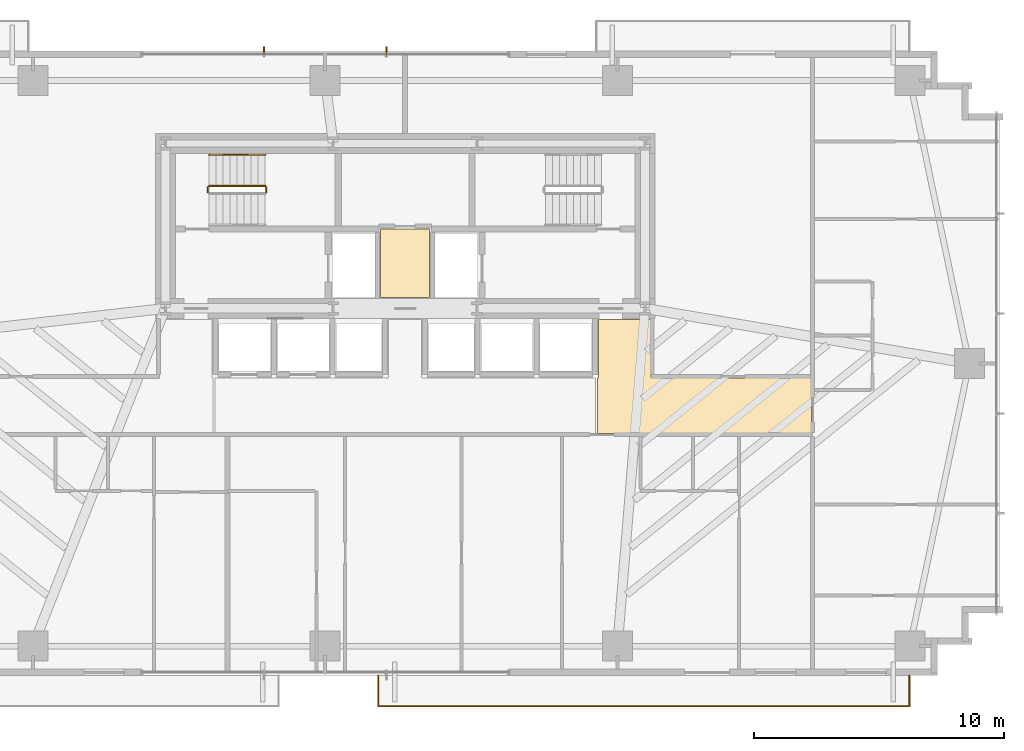
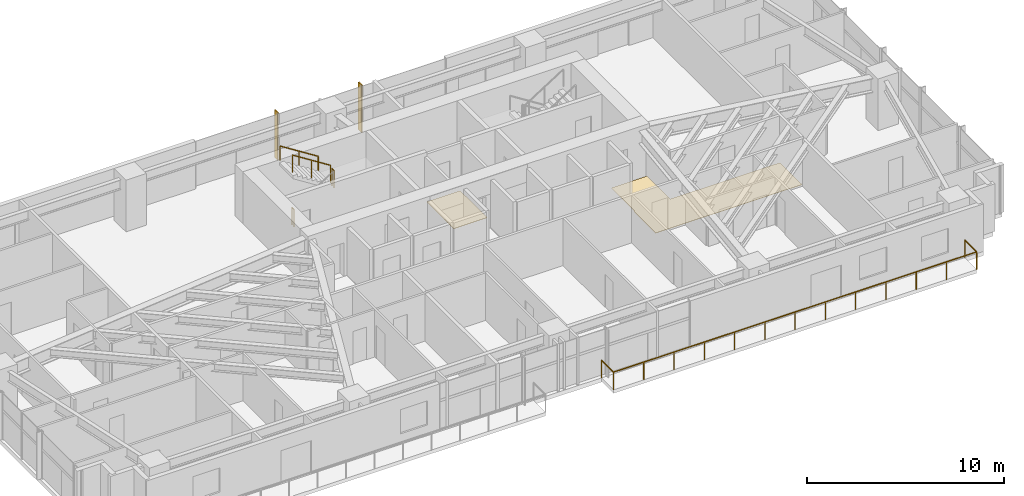
# One storey, part 24 of 25: 5 railings, 2 coverings, 2 shading devices.
"""IFC4 building model written with IfcOpenShell, lengths in metres."""

from ifc_helpers import new_model, si_unit, direction, frame, origin, origin_2d, place, context, subcontext, project, spatial, polyline, rectangle, outline, extrude, source, transform, mapped, material, layer, layer_set, type_object, type_shapes, element, save


model = new_model("IFC4")

# Units and contexts
model_context = context("Model", 3, precision=1e-05, world=origin(), true_north=direction((0.0, 1.0)))
body_context = subcontext(model_context, "Body", "Model", "MODEL_VIEW")
ifc_project = project(units=[si_unit("LENGTHUNIT", "METRE"), si_unit("AREAUNIT", "SQUARE_METRE"), si_unit("VOLUMEUNIT", "CUBIC_METRE"), si_unit("PLANEANGLEUNIT", "RADIAN"), si_unit("MASSUNIT", "GRAM", prefix="KILO")], contexts=[model_context])

# Site, building, storey
site_placement = place(None, origin())
site = spatial("IfcSite", under=ifc_project, at=site_placement, CompositionType="ELEMENT")
building_placement = place(site_placement, origin())
building = spatial("IfcBuilding", under=site, at=building_placement, Name="Astriad Promenade Condominiums", CompositionType="ELEMENT")
storey_placement = place(building_placement, frame((0.0, 0.0, 26.199951171875)))
storey = spatial("IfcBuildingStorey", under=building, at=storey_placement, Name="L06", CompositionType="ELEMENT", Elevation=26.199951171875)

# Coverings
ifc_material_1 = material(Name="Polished Lakefront Terrazzo Flooring")
ifc_layer = layer(ifc_material_1, 0.02001953125)
ifc_layer_set = layer_set([ifc_layer], Name="Polished Lakefront Terrazzo Flooring")
covering_type = type_object("IfcCoveringType", Name="COV-FLOR-TERRAZZO-20", PredefinedType="FLOORING", material=ifc_layer_set)
covering_1_placement = place(storey_placement, origin())
element("IfcCovering", 1, at=covering_1_placement, inside=storey, type_object=covering_type, Name="FLR-L06-CSL", PredefinedType="FLOORING", context=body_context, shape_type="SweptSolid", body=[
    extrude(outline(polyline([(36.97998046875, 17.840087890625), (35.02001953125, 17.840087890625), (35.02001953125, 20.580078125), (36.97998046875, 20.580078125), (36.97998046875, 17.840087890625)])), origin(), (0.0, 0.0, 1.0), 0.02001953125),
])
covering_2_placement = place(storey_placement, origin())
element("IfcCovering", 2, at=covering_2_placement, inside=storey, type_object=covering_type, Name="FLR-L06-COR-1", PredefinedType="FLOORING", context=body_context, shape_type="SweptSolid", body=[
    extrude(outline(polyline([(43.699951171875, 12.389892578125), (43.699951171875, 14.610107421875), (43.703857421875, 14.610107421875), (43.707763671875, 14.61083984375), (43.711669921875, 14.61181640625), (43.71533203125, 14.613037109375), (43.718994140625, 14.61474609375), (43.72216796875, 14.61669921875), (43.725341796875, 14.619140625), (43.728271484375, 14.62158203125), (43.73095703125, 14.62451171875), (43.7333984375, 14.627685546875), (43.7353515625, 14.631103515625), (43.737060546875, 14.634765625), (43.73828125, 14.638427734375), (43.7392578125, 14.64208984375), (43.73974609375, 14.64599609375), (43.739990234375, 14.64990234375), (43.739990234375, 16.9599609375), (45.840087890625, 16.9599609375), (45.840087890625, 14.659912109375), (45.840087890625, 14.656005859375), (45.8408203125, 14.652099609375), (45.841796875, 14.6484375), (45.843017578125, 14.644775390625), (45.8447265625, 14.64111328125), (45.8466796875, 14.6376953125), (45.84912109375, 14.634521484375), (45.851806640625, 14.631591796875), (45.8544921875, 14.629150390625), (45.85791015625, 14.626708984375), (45.861083984375, 14.624755859375), (45.86474609375, 14.623046875), (45.868408203125, 14.62158203125), (45.872314453125, 14.620849609375), (45.876220703125, 14.6201171875), (45.8798828125, 14.6201171875), (52.260009765625, 14.6201171875), (52.260009765625, 12.389892578125), (43.699951171875, 12.389892578125)])), origin(), (0.0, 0.0, 1.0), 0.02001953125),
])

# Shading devices
ifc_material_2 = material(Name="Anodised aluminium 6063-T6 Black Fin", Category="aluminium")
shading_device_type = type_object("IfcShadingDeviceType", Name="FIN-BLACK-320", PredefinedType="USERDEFINED", material=ifc_material_2)
shared_shape_1 = source(origin(), body_context, "Body", "SweptSolid", [
    extrude(rectangle(XDim=0.06494140625, YDim=0.320068359375, at=origin_2d()), origin(), (0.0, 0.0, 1.0), 2.93994140625),
])
type_shapes(shading_device_type, [shared_shape_1])
for number, where, z_axis, x_axis, name in (
    (3, (30.35009765625, 27.7099609375, 0.0), (0.0, 0.0, 1.0), (1.0, 0.0, 0.0), "CW-L06-N-FIN-01"),
    (4, (35.25, 27.7099609375, 0.0), (0.0, 0.0, 1.0), (1.0, 0.0, 0.0), "CW-L06-N-FIN-02"),
):
    element("IfcShadingDevice", number, at=place(storey_placement, frame(where, z_axis=z_axis, x_axis=x_axis)), inside=storey, type_object=shading_device_type, Name=name, ObjectType="FIN", PredefinedType="USERDEFINED", context=body_context, shape_type="MappedRepresentation", body=[
        mapped(shared_shape_1, transform((0.0, 0.0, 0.0), scale=1.0)),
    ])

# Railings
ifc_material_3 = material(Name="Laminated Glass and Stainless Steel Balustrade", Category="steel")
railing_type_1 = type_object("IfcRailingType", Name="GRD-BALC-1120", PredefinedType="BALUSTRADE", material=ifc_material_3)
shared_shape_2 = source(origin(), body_context, "Body", "SweptSolid", [
    extrude(rectangle(XDim=0.048095703125, YDim=0.048095703125, at=origin_2d()), frame((0.0, 0.0, 1.09619140625), z_axis=(0.0, -1.0, 0.0), x_axis=(1.0, 0.0, 0.0)), (0.0, 0.0, 1.0), 1.219970703125),
    extrude(rectangle(XDim=0.048095703125, YDim=0.048095703125, at=origin_2d()), frame((0.0, -1.219970703125, 1.09619140625), z_axis=(1.0, 0.0, 0.0), x_axis=(0.0, 1.0, 0.0)), (0.0, 0.0, 1.0), 21.258056640625),
    extrude(rectangle(XDim=0.048095703125, YDim=0.048095703125, at=origin_2d()), frame((21.258056640625, -1.219970703125, 1.09619140625), z_axis=(0.0, 1.0, 0.0), x_axis=(-1.0, 0.0, 0.0)), (0.0, 0.0, 1.0), 1.219970703125),
    extrude(rectangle(XDim=0.0419921875, YDim=0.0419921875, at=origin_2d()), origin(), (0.0, 0.0, 1.0), 1.072021484375),
    extrude(rectangle(XDim=0.0419921875, YDim=0.0419921875, at=origin_2d()), frame((0.0, -1.219970703125, 0.0)), (0.0, 0.0, 1.0), 1.072021484375),
    extrude(rectangle(XDim=0.0419921875, YDim=0.0419921875, at=origin_2d()), frame((1.771484375, -1.219970703125, 0.0)), (0.0, 0.0, 1.0), 1.072021484375),
    extrude(rectangle(XDim=0.0419921875, YDim=0.0419921875, at=origin_2d()), frame((3.54296875, -1.219970703125, 0.0)), (0.0, 0.0, 1.0), 1.072021484375),
    extrude(rectangle(XDim=0.0419921875, YDim=0.0419921875, at=origin_2d()), frame((5.314453125, -1.219970703125, 0.0)), (0.0, 0.0, 1.0), 1.072021484375),
    extrude(rectangle(XDim=0.0419921875, YDim=0.0419921875, at=origin_2d()), frame((7.0859375, -1.219970703125, 0.0)), (0.0, 0.0, 1.0), 1.072021484375),
    extrude(rectangle(XDim=0.0419921875, YDim=0.0419921875, at=origin_2d()), frame((8.857421875, -1.219970703125, 0.0)), (0.0, 0.0, 1.0), 1.072021484375),
    extrude(rectangle(XDim=0.0419921875, YDim=0.0419921875, at=origin_2d()), frame((10.62890625, -1.219970703125, 0.0)), (0.0, 0.0, 1.0), 1.072021484375),
    extrude(rectangle(XDim=0.0419921875, YDim=0.0419921875, at=origin_2d()), frame((12.400634765625, -1.219970703125, 0.0)), (0.0, 0.0, 1.0), 1.072021484375),
    extrude(rectangle(XDim=0.0419921875, YDim=0.0419921875, at=origin_2d()), frame((14.172119140625, -1.219970703125, 0.0)), (0.0, 0.0, 1.0), 1.072021484375),
    extrude(rectangle(XDim=0.0419921875, YDim=0.0419921875, at=origin_2d()), frame((15.943603515625, -1.219970703125, 0.0)), (0.0, 0.0, 1.0), 1.072021484375),
    extrude(rectangle(XDim=0.0419921875, YDim=0.0419921875, at=origin_2d()), frame((17.715087890625, -1.219970703125, 0.0)), (0.0, 0.0, 1.0), 1.072021484375),
    extrude(rectangle(XDim=0.0419921875, YDim=0.0419921875, at=origin_2d()), frame((19.486572265625, -1.219970703125, 0.0)), (0.0, 0.0, 1.0), 1.072021484375),
    extrude(rectangle(XDim=0.0419921875, YDim=0.0419921875, at=origin_2d()), frame((21.258056640625, -1.219970703125, 0.0)), (0.0, 0.0, 1.0), 1.072021484375),
    extrude(rectangle(XDim=0.0419921875, YDim=0.0419921875, at=origin_2d()), frame((21.258056640625, 0.0, 0.0)), (0.0, 0.0, 1.0), 1.072021484375),
])
type_shapes(railing_type_1, [shared_shape_2])
railing_1_placement = place(storey_placement, frame((34.927978515625, 2.699951171875, 0.0)))
element("IfcRailing", 5, at=railing_1_placement, inside=storey, type_object=railing_type_1, Name="GRD-BALC-L06-SE", PredefinedType="BALUSTRADE", context=body_context, shape_type="MappedRepresentation", body=[
    mapped(shared_shape_2, transform((0.0, 0.0, 0.0), scale=1.0)),
])
ifc_material_4 = material(Name="Painted Galvanised Steel Guardrail", Category="steel")
railing_type_2 = type_object("IfcRailingType", Name="GRD-STAIR-1100", PredefinedType="GUARDRAIL", material=ifc_material_4)
shared_shape_3 = source(origin(), body_context, "Body", "SweptSolid", [
    extrude(rectangle(XDim=0.048095703125, YDim=0.048095703125, at=origin_2d()), frame((0.0, 0.0, 1.076171875), z_axis=(0.0, 1.0, 0.0), x_axis=(-1.0, 0.0, 0.0)), (0.0, 0.0, 1.0), 0.199951171875),
    extrude(rectangle(XDim=0.0419921875, YDim=0.0419921875, at=origin_2d()), origin(), (0.0, 0.0, 1.0), 1.052001953125),
    extrude(rectangle(XDim=0.0419921875, YDim=0.0419921875, at=origin_2d()), frame((0.0, 0.199951171875, 0.0)), (0.0, 0.0, 1.0), 1.052001953125),
])
for number, where, name in (
    (6, (30.43994140625, 22.050048828125, 1.60009765625), "L06 ST-1 stair guard 2"),
    (7, (28.10009765625, 22.050048828125, 0.0), "L06 ST-1 stair guard 4"),
):
    element("IfcRailing", number, at=place(storey_placement, frame(where)), inside=storey, type_object=railing_type_2, Name=name, PredefinedType="GUARDRAIL", context=body_context, shape_type="MappedRepresentation", body=[
        mapped(shared_shape_3, transform((0.0, 0.0, 0.0), scale=1.0)),
    ])
shared_shape_4 = source(origin(), body_context, "Body", "SweptSolid", [
    extrude(rectangle(XDim=0.048095703125, YDim=0.048095703125, at=origin_2d()), frame((0.0, 0.0, 1.076171875), z_axis=(-0.8442293374, 0.0, 0.53598211339), x_axis=(0.0, -1.0, 0.0)), (0.0, 0.0, 1.0), 2.6533203125),
    extrude(rectangle(XDim=0.0419921875, YDim=0.0419921875, at=origin_2d()), origin(), (0.0, 0.0, 1.0), 1.052001953125),
    extrude(rectangle(XDim=0.0419921875, YDim=0.0419921875, at=origin_2d()), frame((-1.1201171875, 0.0, 0.7109375)), (0.0, 0.0, 1.0), 1.052001953125),
    extrude(rectangle(XDim=0.0419921875, YDim=0.0419921875, at=origin_2d()), frame((-2.239990234375, 0.0, 1.422119140625)), (0.0, 0.0, 1.0), 1.052001953125),
])
type_shapes(railing_type_2, [shared_shape_3, shared_shape_4])
railing_2_placement = place(storey_placement, frame((30.389892578125, 22.300048828125, 1.77783203125)))
element("IfcRailing", 8, at=railing_2_placement, inside=storey, type_object=railing_type_2, Name="L06 ST-1 stair guard 3", PredefinedType="GUARDRAIL", context=body_context, shape_type="MappedRepresentation", body=[
    mapped(shared_shape_4, transform((0.0, 0.0, 0.0), scale=1.0)),
])
ifc_material_5 = material(Name="Brushed Stainless Steel Handrail", Category="steel")
railing_type_3 = type_object("IfcRailingType", Name="HRL-STAIR-920", PredefinedType="HANDRAIL", material=ifc_material_5)
shared_shape_5 = source(origin(), body_context, "Body", "SweptSolid", [
    extrude(rectangle(XDim=0.048095703125, YDim=0.048095703125, at=origin_2d()), frame((0.0, 0.0, 0.8759765625), z_axis=(-0.8442293374, 0.0, 0.53598211339), x_axis=(0.0, -1.0, 0.0)), (0.0, 0.0, 1.0), 2.6533203125),
    extrude(rectangle(XDim=0.0419921875, YDim=0.0419921875, at=origin_2d()), origin(), (0.0, 0.0, 1.0), 0.851806640625),
    extrude(rectangle(XDim=0.0419921875, YDim=0.0419921875, at=origin_2d()), frame((-1.1201171875, 0.0, 0.7109375)), (0.0, 0.0, 1.0), 0.851806640625),
    extrude(rectangle(XDim=0.0419921875, YDim=0.0419921875, at=origin_2d()), frame((-2.239990234375, 0.0, 1.422119140625)), (0.0, 0.0, 1.0), 0.851806640625),
])
type_shapes(railing_type_3, [shared_shape_5])
railing_3_placement = place(storey_placement, frame((30.389892578125, 23.550048828125, 1.77783203125)))
element("IfcRailing", 9, at=railing_3_placement, inside=storey, type_object=railing_type_3, Name="L06 ST-1 stair handrail 2", PredefinedType="HANDRAIL", context=body_context, shape_type="MappedRepresentation", body=[
    mapped(shared_shape_5, transform((0.0, 0.0, 0.0), scale=1.0)),
])

save(model, "model.ifc")
